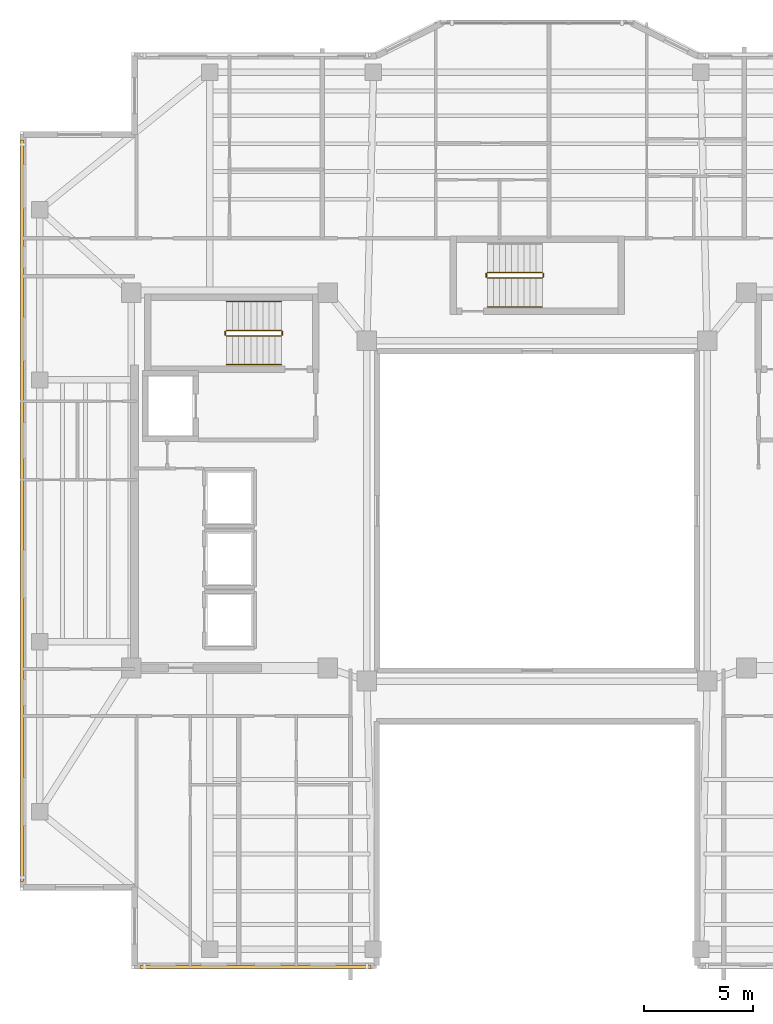
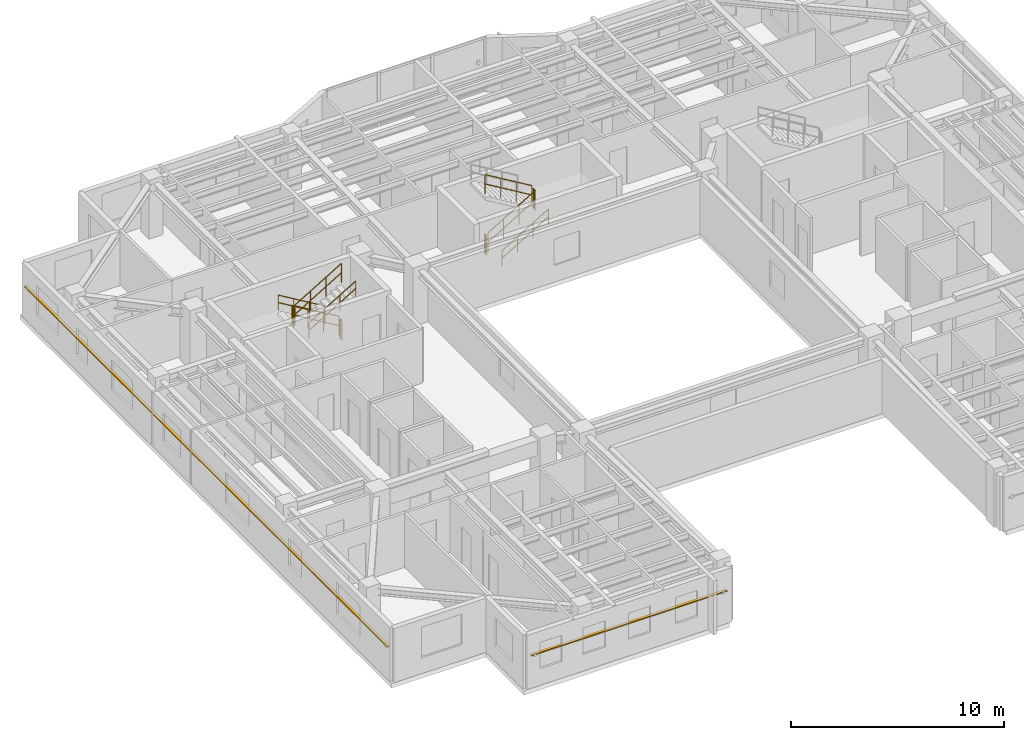
# One storey, part 10 of 12: 11 railings, 2 shading devices.
"""IFC4 building model written with IfcOpenShell, lengths in metres."""

import ifcopenshell
import ifcopenshell.guid

model = None  # the IFC model being written
_history = None  # IfcOwnerHistory: only IFC2X3 demands one
_inside = {}  # id of a spatial element -> (the spatial element, [elements in it])
_under = {}  # id of a project, library or spatial element -> (it, [spatial elements below it])
_declared = {}  # id of a project -> (the project, [libraries it declares])
_typed = {}  # id of a type object -> (the type object, [elements of that type])
_made_of = {}  # id of a material, layer set ... -> (it, [elements and type objects made of it])


def new_model(schema):
    """Start an empty IFC model of exactly this schema.

    Asked for "IFC4X3", IfcOpenShell would pick the latest addendum, in which some entities
    have other attributes; the version numbers below select the first issue.
    IFC2X3 requires an IfcOwnerHistory on every rooted entity: one is made here for all.
    """
    global model, _history
    if schema == "IFC4X3":
        model = ifcopenshell.file(schema_version=(4, 3, 0, 0))
    else:
        model = ifcopenshell.file(schema=schema)
    _inside.clear()
    _under.clear()
    _declared.clear()
    _typed.clear()
    _made_of.clear()
    _history = None
    if model.schema == "IFC2X3":
        org = make("IfcOrganization", Name="unknown")
        user = make(
            "IfcPersonAndOrganization",
            ThePerson=make("IfcPerson", FamilyName="unknown"),
            TheOrganization=org,
        )
        app = make(
            "IfcApplication",
            ApplicationDeveloper=org,
            Version="unknown",
            ApplicationFullName="unknown",
            ApplicationIdentifier="unknown",
        )
        _history = make(
            "IfcOwnerHistory",
            OwningUser=user,
            OwningApplication=app,
            ChangeAction="ADDED",
            CreationDate=0,
        )
    return model


def make(cls, **values):
    """One entity of the class cls with the attributes given. An attribute that is None is left unset."""
    return model.create_entity(
        cls, **{name: value for name, value in values.items() if value is not None}
    )


def rooted(cls, **values):
    """An entity with a GlobalId (a new one), such as an element, a storey or a relation."""
    return make(cls, GlobalId=ifcopenshell.guid.new(), OwnerHistory=_history, **values)


def si_unit(unit_type, name, prefix=None):
    """IfcSIUnit, for example si_unit("LENGTHUNIT", "METRE", prefix="MILLI")."""
    return make("IfcSIUnit", UnitType=unit_type, Prefix=prefix, Name=name)


def assignment(units):
    """IfcUnitAssignment: the units of a project."""
    return None if units is None else make("IfcUnitAssignment", Units=units)


def point(xyz):
    """IfcCartesianPoint."""
    return None if xyz is None else make("IfcCartesianPoint", Coordinates=xyz)


def direction(xyz):
    """IfcDirection."""
    return None if xyz is None else make("IfcDirection", DirectionRatios=xyz)


def frame(location, z_axis=None, x_axis=None):
    """IfcAxis2Placement3D, a coordinate frame: its origin and axes. An axis left out is left unset."""
    return make(
        "IfcAxis2Placement3D",
        Location=point(location),
        Axis=direction(z_axis),
        RefDirection=direction(x_axis),
    )


def frame_2d(location, x_axis=None):
    """IfcAxis2Placement2D, a coordinate frame in the plane: its origin and x axis."""
    return make(
        "IfcAxis2Placement2D", Location=point(location), RefDirection=direction(x_axis)
    )


def origin():
    """The frame at (0, 0, 0) with its axes left unset."""
    return frame((0.0, 0.0, 0.0))


def origin_2d():
    """The frame at (0, 0) in the plane with its x axis left unset."""
    return frame_2d((0.0, 0.0))


def place(relative_to, where):
    """IfcLocalPlacement: puts the frame where relative to a parent placement (None: the world)."""
    return make(
        "IfcLocalPlacement", PlacementRelTo=relative_to, RelativePlacement=where
    )


def context(
    kind, dimensions, precision=None, world=None, true_north=None, identifier=None
):
    """IfcGeometricRepresentationContext, for example the 3D "Model" context."""
    return make(
        "IfcGeometricRepresentationContext",
        ContextIdentifier=identifier,
        ContextType=kind,
        CoordinateSpaceDimension=dimensions,
        Precision=precision,
        WorldCoordinateSystem=world,
        TrueNorth=true_north,
    )


def subcontext(parent, identifier, kind, view, scale=None):
    """IfcGeometricRepresentationSubContext, for example "Body" below "Model"."""
    return make(
        "IfcGeometricRepresentationSubContext",
        ContextIdentifier=identifier,
        ContextType=kind,
        ParentContext=parent,
        TargetScale=scale,
        TargetView=view,
    )


def project(units=None, contexts=None):
    """IfcProject with its units and contexts."""
    return rooted(
        "IfcProject",
        Name="project",
        RepresentationContexts=contexts,
        UnitsInContext=assignment(units),
    )


def spatial(cls, under=None, at=None, **own):
    """A site, building, storey or space (cls), placed at a placement, below another one or the project."""
    s = rooted(cls, ObjectPlacement=at, **own)
    if under is not None:
        _under.setdefault(under.id(), (under, []))[1].append(s)
    return s


def profile(cls, at=None, kind="AREA", **sizes):
    """A parametric profile (cls). Its sizes go by their IFC names, for example OverallWidth=200.0."""
    return make(cls, ProfileType=kind, Position=at, **sizes)


def rectangle(**sizes):
    """IfcRectangleProfileDef."""
    return profile("IfcRectangleProfileDef", **sizes)


def circle(**sizes):
    """IfcCircleProfileDef."""
    return profile("IfcCircleProfileDef", **sizes)


def extrude(swept, where, along, depth):
    """IfcExtrudedAreaSolid: the profile swept, set in the frame where, extruded along a direction by depth."""
    return make(
        "IfcExtrudedAreaSolid",
        SweptArea=swept,
        Position=where,
        ExtrudedDirection=direction(along),
        Depth=depth,
    )


def shape(context_of_items, identifier, shape_type, items):
    """IfcShapeRepresentation: the items that make up one representation, for example the "Body"."""
    return make(
        "IfcShapeRepresentation",
        ContextOfItems=context_of_items,
        RepresentationIdentifier=identifier,
        RepresentationType=shape_type,
        Items=items,
    )


def material(Name=None, Category=None):
    """IfcMaterial."""
    return make("IfcMaterial", Name=Name, Category=Category)


def material_profile(
    of_material, cross_section, Name=None, Category=None, Priority=None
):
    """IfcMaterialProfile: a cross section and its material."""
    return make(
        "IfcMaterialProfile",
        Name=Name,
        Material=of_material,
        Profile=cross_section,
        Priority=Priority,
        Category=Category,
    )


def profile_set(profiles, Name=None, composite=None):
    """IfcMaterialProfileSet."""
    return make(
        "IfcMaterialProfileSet",
        Name=Name,
        MaterialProfiles=profiles,
        CompositeProfile=composite,
    )


def made_of(thing, what):
    """Note that an element or type object is made of a material, layer set ...; save() writes the relation."""
    if what is not None:
        _made_of.setdefault(what.id(), (what, []))[1].append(thing)
    return thing


def type_object(cls, material=None, **own):
    """A type object (cls), such as IfcWallType, which elements share."""
    return made_of(rooted(cls, **own), material)


def element(
    cls,
    number,
    at=None,
    inside=None,
    cuts=None,
    type_object=None,
    material=None,
    context=None,
    identifier="Body",
    shape_type=None,
    held_by="IfcProductDefinitionShape",
    body=None,
    shapes=None,
    **own,
):
    """One element of the class cls, such as IfcWall. Its Tag is "e" and its number.

    at: its placement. inside: the storey or other place that contains it. cuts: it is an
    opening in that element (IfcRelVoidsElement). A single representation is given by context,
    identifier, shape_type and body (its items); several are given by shapes. held_by: the class
    of the entity that holds the representations. save() writes the other relations.
    """
    e = rooted(cls, Tag="e%d" % number, ObjectPlacement=at, **own)
    if body is not None:
        shapes = [shape(context, identifier, shape_type, body)]
    if shapes is not None:
        e.Representation = make(held_by, Representations=shapes)
    if inside is not None:
        _inside.setdefault(inside.id(), (inside, []))[1].append(e)
    if cuts is not None:
        rooted(
            "IfcRelVoidsElement", RelatingBuildingElement=cuts, RelatedOpeningElement=e
        )
    if type_object is not None:
        _typed.setdefault(type_object.id(), (type_object, []))[1].append(e)
    return made_of(e, material)


def aggregate(whole, parts):
    """IfcRelAggregates: a whole, such as a stair, and the parts it consists of."""
    return rooted("IfcRelAggregates", RelatingObject=whole, RelatedObjects=parts)


def save(model, path):
    """Write the relations noted so far, then the file.

    IfcRelAggregates (storeys below a building ...), IfcRelContainedInSpatialStructure (elements
    in a storey), IfcRelDefinesByType, IfcRelAssociatesMaterial and IfcRelDeclares: one each for
    every whole, place, type object, material and project.
    """
    for whole, parts in _under.values():
        aggregate(whole, parts)
    for where, things in _inside.values():
        rooted(
            "IfcRelContainedInSpatialStructure",
            RelatedElements=things,
            RelatingStructure=where,
        )
    for kind, things in _typed.values():
        rooted("IfcRelDefinesByType", RelatedObjects=things, RelatingType=kind)
    for what, things in _made_of.values():
        rooted("IfcRelAssociatesMaterial", RelatedObjects=things, RelatingMaterial=what)
    for by, libraries in _declared.values():
        rooted("IfcRelDeclares", RelatingContext=by, RelatedDefinitions=libraries)
    model.write(path)


model = new_model("IFC4")

# Units and contexts
model_context = context("Model", 3, precision=1e-05, world=origin(), true_north=direction((0.0, 1.0)))
body_context = subcontext(model_context, "Body", "Model", "MODEL_VIEW")
ifc_project = project(units=[si_unit("LENGTHUNIT", "METRE"), si_unit("AREAUNIT", "SQUARE_METRE"), si_unit("VOLUMEUNIT", "CUBIC_METRE"), si_unit("PLANEANGLEUNIT", "RADIAN"), si_unit("MASSUNIT", "GRAM", prefix="KILO")], contexts=[model_context])

# Site, building, storey
site_placement = place(None, origin())
site = spatial("IfcSite", under=ifc_project, at=site_placement, CompositionType="ELEMENT")
building_placement = place(site_placement, origin())
building = spatial("IfcBuilding", under=site, at=building_placement, Name="Tarnavaz Court Tower", CompositionType="ELEMENT")
storey_placement = place(building_placement, frame((0.0, 0.0, 207.0)))
storey = spatial("IfcBuildingStorey", under=building, at=storey_placement, Name="L56", CompositionType="ELEMENT", Elevation=207.0)

# Railings
ifc_material_1 = material(Name="Brushed Stainless Steel", Category="steel")
railing_type_1 = type_object("IfcRailingType", Name="RL-HANDRAIL-900", PredefinedType="HANDRAIL", material=ifc_material_1)
railing_1_placement = place(storey_placement, frame((-11.719970703125, 9.590087890625, 0.16748046875)))
element("IfcRailing", 1, at=railing_1_placement, inside=storey, type_object=railing_type_1, Name="L56 ST-W1 stair handrail 1", PredefinedType="HANDRAIL", context=body_context, shape_type="SweptSolid", body=[
    extrude(circle(Radius=0.02392578125, at=origin_2d()), frame((0.0, 0.0, 0.8759765625), z_axis=(-0.858159760407, 0.0, 0.513382728203), x_axis=(0.0, -1.0, 0.0)), (0.0, 0.0, 1.0), 2.9365234375),
    extrude(circle(Radius=0.02392578125, at=origin_2d()), frame((0.0, 0.0, 0.449951171875), z_axis=(-0.858159760407, 0.0, 0.513382728203), x_axis=(0.0, -1.0, 0.0)), (0.0, 0.0, 1.0), 2.9365234375),
    extrude(circle(Radius=0.02099609375, at=origin_2d()), origin(), (0.0, 0.0, 1.0), 0.851806640625),
    extrude(circle(Radius=0.02099609375, at=origin_2d()), frame((-0.840087890625, 0.0, 0.50244140625)), (0.0, 0.0, 1.0), 0.851806640625),
    extrude(circle(Radius=0.02099609375, at=origin_2d()), frame((-1.679931640625, 0.0, 1.005126953125)), (0.0, 0.0, 1.0), 0.851806640625),
    extrude(circle(Radius=0.02099609375, at=origin_2d()), frame((-2.52001953125, 0.0, 1.507568359375)), (0.0, 0.0, 1.0), 0.851806640625),
])
for number, where, name in (
    (2, (-14.239990234375, 6.699951171875, 1.842529296875), "L56 ST-W1 stair handrail 2"),
    (3, (-2.280029296875, 9.35009765625, 0.16748046875), "L56 ST-N1 stair handrail 1"),
):
    element("IfcRailing", number, at=place(storey_placement, frame(where)), inside=storey, type_object=railing_type_1, Name=name, PredefinedType="HANDRAIL", context=body_context, shape_type="SweptSolid", body=[
        extrude(circle(Radius=0.02392578125, at=origin_2d()), frame((0.0, 0.0, 0.8759765625), z_axis=(0.858159760407, 0.0, 0.513382728203), x_axis=(0.0, 1.0, 0.0)), (0.0, 0.0, 1.0), 2.9365234375),
        extrude(circle(Radius=0.02392578125, at=origin_2d()), frame((0.0, 0.0, 0.449951171875), z_axis=(0.858159760407, 0.0, 0.513382728203), x_axis=(0.0, 1.0, 0.0)), (0.0, 0.0, 1.0), 2.9365234375),
        extrude(circle(Radius=0.02099609375, at=origin_2d()), origin(), (0.0, 0.0, 1.0), 0.851806640625),
        extrude(circle(Radius=0.02099609375, at=origin_2d()), frame((0.840087890625, 0.0, 0.50244140625)), (0.0, 0.0, 1.0), 0.851806640625),
        extrude(circle(Radius=0.02099609375, at=origin_2d()), frame((1.679931640625, 0.0, 1.005126953125)), (0.0, 0.0, 1.0), 0.851806640625),
        extrude(circle(Radius=0.02099609375, at=origin_2d()), frame((2.52001953125, 0.0, 1.507568359375)), (0.0, 0.0, 1.0), 0.851806640625),
    ])
ifc_material_2 = material(Name="Galvanized Painted Tubular Steel", Category="steel")
railing_type_2 = type_object("IfcRailingType", Name="RL-STGUARD-1120", PredefinedType="GUARDRAIL", material=ifc_material_2)
railing_2_placement = place(storey_placement, frame((-11.719970703125, 8.27001953125, 0.16748046875)))
element("IfcRailing", 4, at=railing_2_placement, inside=storey, type_object=railing_type_2, Name="L56 ST-W1 stair guard 1", PredefinedType="GUARDRAIL", context=body_context, shape_type="SweptSolid", body=[
    extrude(circle(Radius=0.02392578125, at=origin_2d()), frame((0.0, 0.0, 1.09619140625), z_axis=(-0.858159760407, 0.0, 0.513382728203), x_axis=(0.0, -1.0, 0.0)), (0.0, 0.0, 1.0), 2.9365234375),
    extrude(circle(Radius=0.02392578125, at=origin_2d()), frame((0.0, 0.0, 0.56005859375), z_axis=(-0.858159760407, 0.0, 0.513382728203), x_axis=(0.0, -1.0, 0.0)), (0.0, 0.0, 1.0), 2.9365234375),
    extrude(circle(Radius=0.02099609375, at=origin_2d()), origin(), (0.0, 0.0, 1.0), 1.072021484375),
    extrude(circle(Radius=0.02099609375, at=origin_2d()), frame((-0.840087890625, 0.0, 0.50244140625)), (0.0, 0.0, 1.0), 1.072021484375),
    extrude(circle(Radius=0.02099609375, at=origin_2d()), frame((-1.679931640625, 0.0, 1.005126953125)), (0.0, 0.0, 1.0), 1.072021484375),
    extrude(circle(Radius=0.02099609375, at=origin_2d()), frame((-2.52001953125, 0.0, 1.507568359375)), (0.0, 0.0, 1.0), 1.072021484375),
])
railing_3_placement = place(storey_placement, frame((-14.2900390625, 8.219970703125, 1.675048828125)))
element("IfcRailing", 5, at=railing_3_placement, inside=storey, type_object=railing_type_2, Name="L56 ST-W1 stair guard 2", PredefinedType="GUARDRAIL", context=body_context, shape_type="SweptSolid", body=[
    extrude(circle(Radius=0.02392578125, at=origin_2d()), frame((0.0, 0.0, 1.09619140625), z_axis=(0.0, -1.0, 0.0), x_axis=(1.0, 0.0, 0.0)), (0.0, 0.0, 1.0), 0.14990234375),
    extrude(circle(Radius=0.02392578125, at=origin_2d()), frame((0.0, 0.0, 0.56005859375), z_axis=(0.0, -1.0, 0.0), x_axis=(1.0, 0.0, 0.0)), (0.0, 0.0, 1.0), 0.14990234375),
    extrude(circle(Radius=0.02099609375, at=origin_2d()), origin(), (0.0, 0.0, 1.0), 1.072021484375),
    extrude(circle(Radius=0.02099609375, at=origin_2d()), frame((0.0, -0.14990234375, 0.0)), (0.0, 0.0, 1.0), 1.072021484375),
])
railing_4_placement = place(storey_placement, frame((-14.239990234375, 8.02001953125, 1.842529296875)))
element("IfcRailing", 6, at=railing_4_placement, inside=storey, type_object=railing_type_2, Name="L56 ST-W1 stair guard 3", PredefinedType="GUARDRAIL", context=body_context, shape_type="SweptSolid", body=[
    extrude(circle(Radius=0.02392578125, at=origin_2d()), frame((0.0, 0.0, 1.09619140625), z_axis=(0.858159760407, 0.0, 0.513382728203), x_axis=(0.0, 1.0, 0.0)), (0.0, 0.0, 1.0), 2.9365234375),
    extrude(circle(Radius=0.02392578125, at=origin_2d()), frame((0.0, 0.0, 0.56005859375), z_axis=(0.858159760407, 0.0, 0.513382728203), x_axis=(0.0, 1.0, 0.0)), (0.0, 0.0, 1.0), 2.9365234375),
    extrude(circle(Radius=0.02099609375, at=origin_2d()), origin(), (0.0, 0.0, 1.0), 1.072021484375),
    extrude(circle(Radius=0.02099609375, at=origin_2d()), frame((0.840087890625, 0.0, 0.50244140625)), (0.0, 0.0, 1.0), 1.072021484375),
    extrude(circle(Radius=0.02099609375, at=origin_2d()), frame((1.679931640625, 0.0, 1.005126953125)), (0.0, 0.0, 1.0), 1.072021484375),
    extrude(circle(Radius=0.02099609375, at=origin_2d()), frame((2.52001953125, 0.0, 1.507568359375)), (0.0, 0.0, 1.0), 1.072021484375),
])
railing_5_placement = place(storey_placement, frame((-11.669921875, 8.219970703125, 0.0)))
element("IfcRailing", 7, at=railing_5_placement, inside=storey, type_object=railing_type_2, Name="L56 ST-W1 stair guard 4", PredefinedType="GUARDRAIL", context=body_context, shape_type="SweptSolid", body=[
    extrude(circle(Radius=0.02392578125, at=origin_2d()), frame((0.0, 0.0, 1.09619140625), z_axis=(0.0, -1.0, 0.0), x_axis=(1.0, 0.0, 0.0)), (0.0, 0.0, 1.0), 0.14990234375),
    extrude(circle(Radius=0.02392578125, at=origin_2d()), frame((0.0, 0.0, 0.56005859375), z_axis=(0.0, -1.0, 0.0), x_axis=(1.0, 0.0, 0.0)), (0.0, 0.0, 1.0), 0.14990234375),
    extrude(circle(Radius=0.02099609375, at=origin_2d()), origin(), (0.0, 0.0, 1.0), 1.072021484375),
    extrude(circle(Radius=0.02099609375, at=origin_2d()), frame((0.0, -0.14990234375, 0.0)), (0.0, 0.0, 1.0), 1.072021484375),
])
railing_6_placement = place(storey_placement, frame((-2.280029296875, 10.669921875, 0.16748046875)))
element("IfcRailing", 8, at=railing_6_placement, inside=storey, type_object=railing_type_2, Name="L56 ST-N1 stair guard 1", PredefinedType="GUARDRAIL", context=body_context, shape_type="SweptSolid", body=[
    extrude(circle(Radius=0.02392578125, at=origin_2d()), frame((0.0, 0.0, 1.09619140625), z_axis=(0.858159760407, 0.0, 0.513382728203), x_axis=(0.0, 1.0, 0.0)), (0.0, 0.0, 1.0), 2.9365234375),
    extrude(circle(Radius=0.02392578125, at=origin_2d()), frame((0.0, 0.0, 0.56005859375), z_axis=(0.858159760407, 0.0, 0.513382728203), x_axis=(0.0, 1.0, 0.0)), (0.0, 0.0, 1.0), 2.9365234375),
    extrude(circle(Radius=0.02099609375, at=origin_2d()), origin(), (0.0, 0.0, 1.0), 1.072021484375),
    extrude(circle(Radius=0.02099609375, at=origin_2d()), frame((0.840087890625, 0.0, 0.50244140625)), (0.0, 0.0, 1.0), 1.072021484375),
    extrude(circle(Radius=0.02099609375, at=origin_2d()), frame((1.679931640625, 0.0, 1.005126953125)), (0.0, 0.0, 1.0), 1.072021484375),
    extrude(circle(Radius=0.02099609375, at=origin_2d()), frame((2.52001953125, 0.0, 1.507568359375)), (0.0, 0.0, 1.0), 1.072021484375),
])
railing_7_placement = place(storey_placement, frame((0.2900390625, 10.719970703125, 1.675048828125)))
element("IfcRailing", 9, at=railing_7_placement, inside=storey, type_object=railing_type_2, Name="L56 ST-N1 stair guard 2", PredefinedType="GUARDRAIL", context=body_context, shape_type="SweptSolid", body=[
    extrude(circle(Radius=0.02392578125, at=origin_2d()), frame((0.0, 0.0, 1.09619140625), z_axis=(0.0, 1.0, 0.0), x_axis=(-1.0, 0.0, 0.0)), (0.0, 0.0, 1.0), 0.150146484375),
    extrude(circle(Radius=0.02392578125, at=origin_2d()), frame((0.0, 0.0, 0.56005859375), z_axis=(0.0, 1.0, 0.0), x_axis=(-1.0, 0.0, 0.0)), (0.0, 0.0, 1.0), 0.150146484375),
    extrude(circle(Radius=0.02099609375, at=origin_2d()), origin(), (0.0, 0.0, 1.0), 1.072021484375),
    extrude(circle(Radius=0.02099609375, at=origin_2d()), frame((0.0, 0.150146484375, 0.0)), (0.0, 0.0, 1.0), 1.072021484375),
])
railing_8_placement = place(storey_placement, frame((0.239990234375, 10.919921875, 1.842529296875)))
element("IfcRailing", 10, at=railing_8_placement, inside=storey, type_object=railing_type_2, Name="L56 ST-N1 stair guard 3", PredefinedType="GUARDRAIL", context=body_context, shape_type="SweptSolid", body=[
    extrude(circle(Radius=0.02392578125, at=origin_2d()), frame((0.0, 0.0, 1.09619140625), z_axis=(-0.858159760407, 0.0, 0.513382728203), x_axis=(0.0, -1.0, 0.0)), (0.0, 0.0, 1.0), 2.9365234375),
    extrude(circle(Radius=0.02392578125, at=origin_2d()), frame((0.0, 0.0, 0.56005859375), z_axis=(-0.858159760407, 0.0, 0.513382728203), x_axis=(0.0, -1.0, 0.0)), (0.0, 0.0, 1.0), 2.9365234375),
    extrude(circle(Radius=0.02099609375, at=origin_2d()), origin(), (0.0, 0.0, 1.0), 1.072021484375),
    extrude(circle(Radius=0.02099609375, at=origin_2d()), frame((-0.840087890625, 0.0, 0.50244140625)), (0.0, 0.0, 1.0), 1.072021484375),
    extrude(circle(Radius=0.02099609375, at=origin_2d()), frame((-1.679931640625, 0.0, 1.005126953125)), (0.0, 0.0, 1.0), 1.072021484375),
    extrude(circle(Radius=0.02099609375, at=origin_2d()), frame((-2.52001953125, 0.0, 1.507568359375)), (0.0, 0.0, 1.0), 1.072021484375),
])
railing_9_placement = place(storey_placement, frame((-2.330078125, 10.719970703125, 0.0)))
element("IfcRailing", 11, at=railing_9_placement, inside=storey, type_object=railing_type_2, Name="L56 ST-N1 stair guard 4", PredefinedType="GUARDRAIL", context=body_context, shape_type="SweptSolid", body=[
    extrude(circle(Radius=0.02392578125, at=origin_2d()), frame((0.0, 0.0, 1.09619140625), z_axis=(0.0, 1.0, 0.0), x_axis=(-1.0, 0.0, 0.0)), (0.0, 0.0, 1.0), 0.150146484375),
    extrude(circle(Radius=0.02392578125, at=origin_2d()), frame((0.0, 0.0, 0.56005859375), z_axis=(0.0, 1.0, 0.0), x_axis=(-1.0, 0.0, 0.0)), (0.0, 0.0, 1.0), 0.150146484375),
    extrude(circle(Radius=0.02099609375, at=origin_2d()), origin(), (0.0, 0.0, 1.0), 1.072021484375),
    extrude(circle(Radius=0.02099609375, at=origin_2d()), frame((0.0, 0.150146484375, 0.0)), (0.0, 0.0, 1.0), 1.072021484375),
])

# Shading devices
ifc_material_3 = material(Name="Kiln-Fired Khorasan Terracotta Ceramic", Category="masonry")
ifc_material_profile = material_profile(ifc_material_3, rectangle(XDim=0.14990234375, YDim=0.06494140625, at=origin_2d()), Name="TC BAGUETTE 150X65")
ifc_profile_set = profile_set([ifc_material_profile], Name="Kiln-Fired Khorasan Terracotta Ceramic")
shading_device_type = type_object("IfcShadingDeviceType", Name="SD-BAG-150", PredefinedType="USERDEFINED", material=ifc_profile_set)
shading_device_1_placement = place(storey_placement, frame((-23.610107421875, -17.0, 1.85009765625), z_axis=(0.0, 1.0, 0.0), x_axis=(-1.0, 0.0, 0.0)))
element("IfcShadingDevice", 12, at=shading_device_1_placement, inside=storey, type_object=shading_device_type, Name="L56 Terracotta Baguette Screen FBG02", ObjectType="BAGUETTE", PredefinedType="USERDEFINED", context=body_context, shape_type="SweptSolid", body=[
    extrude(rectangle(XDim=0.14990234375, YDim=0.06494140625, at=origin_2d()), origin(), (0.0, 0.0, 1.0), 34.0),
])
shading_device_2_placement = place(storey_placement, frame((-7.60009765625, -20.909912109375, 1.85009765625), z_axis=(-1.0, 0.0, 0.0), x_axis=(0.0, -1.0, 0.0)))
element("IfcShadingDevice", 13, at=shading_device_2_placement, inside=storey, type_object=shading_device_type, Name="L56 Terracotta Baguette Screen FBG19", ObjectType="BAGUETTE", PredefinedType="USERDEFINED", context=body_context, shape_type="SweptSolid", body=[
    extrude(rectangle(XDim=0.14990234375, YDim=0.06494140625, at=origin_2d()), origin(), (0.0, 0.0, 1.0), 10.599853515625),
])

save(model, "model.ifc")
